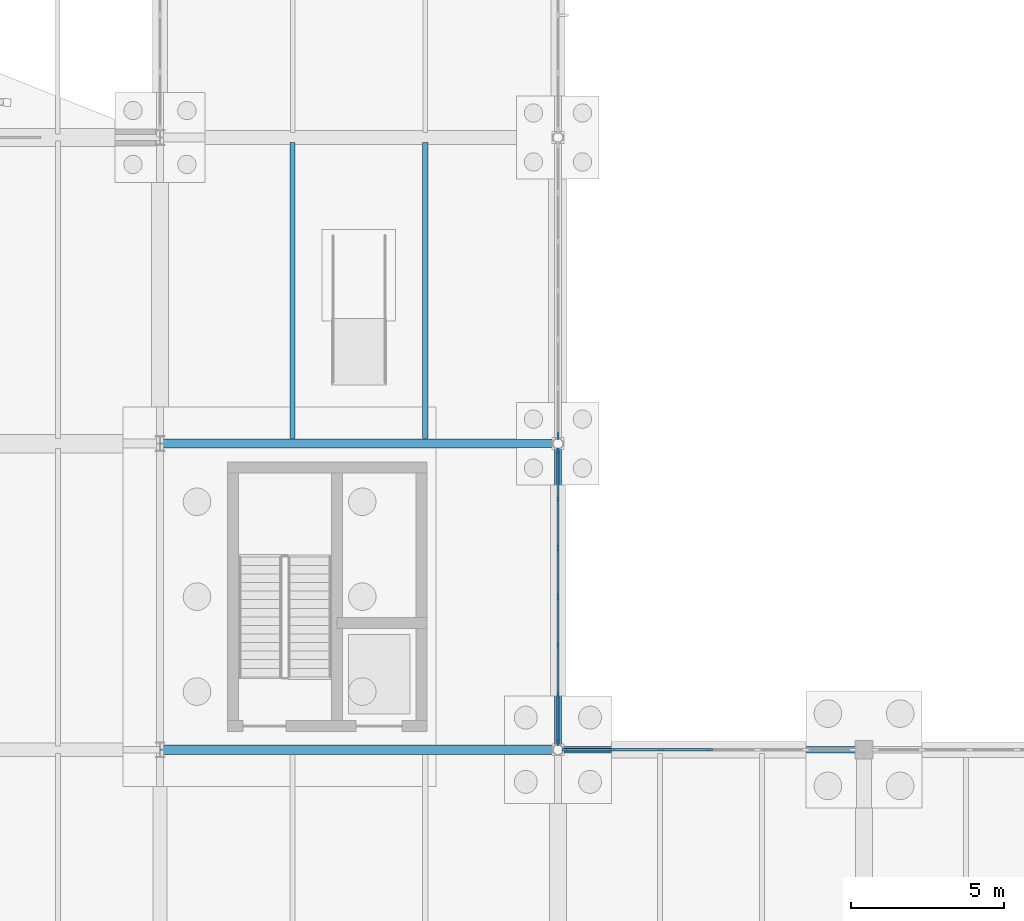
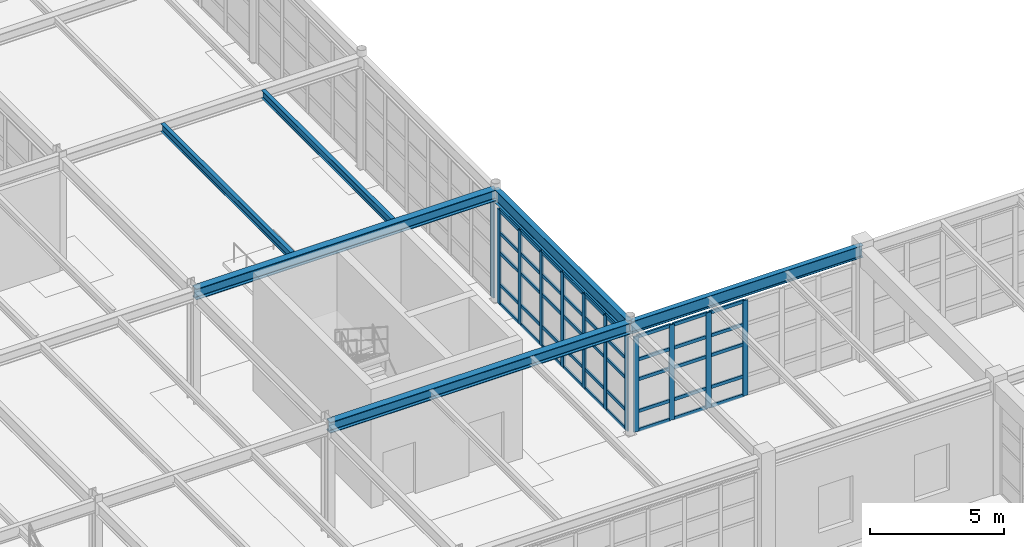
# One storey, part 74 of 145: 57 members, 6 beams, 3 elements without a shape of their own.
"""IFC4 building model written with IfcOpenShell, lengths in metres."""

from ifc_helpers import new_model, si_unit, direction, frame, origin, origin_2d, place, context, subcontext, project, spatial, rectangle, i_section, extrude, material, layer, layer_set, material_profile, profile_set, type_object, element, aggregate, save


model = new_model("IFC4")

# Units and contexts
model_context = context("Model", 3, precision=1e-05, world=origin(), true_north=direction((0.0, 1.0)))
body_context = subcontext(model_context, "Body", "Model", "MODEL_VIEW")
ifc_project = project(units=[si_unit("LENGTHUNIT", "METRE"), si_unit("AREAUNIT", "SQUARE_METRE"), si_unit("VOLUMEUNIT", "CUBIC_METRE"), si_unit("PLANEANGLEUNIT", "RADIAN"), si_unit("MASSUNIT", "GRAM", prefix="KILO"), si_unit("THERMODYNAMICTEMPERATUREUNIT", "KELVIN"), si_unit("POWERUNIT", "WATT")], contexts=[model_context])

# Site, building, storey
site_placement = place(None, origin())
site = spatial("IfcSite", under=ifc_project, at=site_placement, CompositionType="ELEMENT")
building_placement = place(site_placement, origin())
building = spatial("IfcBuilding", under=site, at=building_placement, Name="Korenveer Ferry Terminal", CompositionType="ELEMENT")
storey_placement = place(building_placement, origin())
storey = spatial("IfcBuildingStorey", under=building, at=storey_placement, Name="L00", CompositionType="ELEMENT", Elevation=0.0)

# Curtain wall, members
ifc_material_1 = material(Name="Unitised bronze-and-glass curtain wall", Category="glass")
ifc_layer_1 = layer(ifc_material_1, 0.219970703125)
ifc_layer_set_1 = layer_set([ifc_layer_1], Name="Unitised bronze-and-glass curtain wall")
curtain_wall_type_1 = type_object("IfcCurtainWallType", Name="ENV-CW-12", PredefinedType="USERDEFINED", material=ifc_layer_set_1)
curtain_wall_1_placement = place(storey_placement, frame((136.207763671875, 80.0, 0.0)))
curtain_wall_1 = element("IfcCurtainWall", 1, at=curtain_wall_1_placement, inside=storey, type_object=curtain_wall_type_1, Name="Lancet curtain wall CWX-L00-X136-146-Y80-80", ObjectType="UNITISED CURTAIN WALL", PredefinedType="USERDEFINED")
ifc_material_2 = material(Name="Anodised bronze aluminium", Category="aluminium")
ifc_material_profile_1 = material_profile(ifc_material_2, rectangle(XDim=0.074951171875, YDim=0.219970703125, at=origin_2d()), Name="ALU 75x220")
ifc_profile_set_1 = profile_set([ifc_material_profile_1], Name="Anodised bronze aluminium")
member_type_1 = type_object("IfcMemberType", Name="ENV-CWM-75X220", PredefinedType="MULLION", material=ifc_profile_set_1)
member_1_placement = place(storey_placement, frame((136.245361328125, 80.0, 0.0), z_axis=(0.0, 0.0, 1.0), x_axis=(0.0, 1.0, 0.0)))
member_1 = element("IfcMember", 2, at=member_1_placement, type_object=member_type_1, Name="CW-12 mullion 1", PredefinedType="MULLION", context=body_context, shape_type="SweptSolid", body=[
    extrude(rectangle(XDim=0.074951171875, YDim=0.219970703125, at=origin_2d()), origin(), (0.0, 0.0, 1.0), 4.340087890625),
])
member_2_placement = place(storey_placement, frame((137.784912109375, 80.0, 0.0), z_axis=(0.0, 0.0, 1.0), x_axis=(0.0, 1.0, 0.0)))
member_2 = element("IfcMember", 3, at=member_2_placement, type_object=member_type_1, Name="CW-12 mullion 2", PredefinedType="MULLION", context=body_context, shape_type="SweptSolid", body=[
    extrude(rectangle(XDim=0.074951171875, YDim=0.219970703125, at=origin_2d()), origin(), (0.0, 0.0, 1.0), 4.340087890625),
])
member_3_placement = place(storey_placement, frame((139.36181640625, 80.0, 0.0), z_axis=(0.0, 0.0, 1.0), x_axis=(0.0, 1.0, 0.0)))
member_3 = element("IfcMember", 4, at=member_3_placement, type_object=member_type_1, Name="CW-12 mullion 3", PredefinedType="MULLION", context=body_context, shape_type="SweptSolid", body=[
    extrude(rectangle(XDim=0.074951171875, YDim=0.219970703125, at=origin_2d()), origin(), (0.0, 0.0, 1.0), 4.340087890625),
])
member_4_placement = place(storey_placement, frame((140.93896484375, 80.0, 0.0), z_axis=(0.0, 0.0, 1.0), x_axis=(0.0, 1.0, 0.0)))
member_4 = element("IfcMember", 5, at=member_4_placement, type_object=member_type_1, Name="CW-12 mullion 4", PredefinedType="MULLION", context=body_context, shape_type="SweptSolid", body=[
    extrude(rectangle(XDim=0.074951171875, YDim=0.219970703125, at=origin_2d()), origin(), (0.0, 0.0, 1.0), 4.340087890625),
])

ifc_layer_2 = layer(ifc_material_1, 0.219970703125)
ifc_layer_set_2 = layer_set([ifc_layer_2], Name="Unitised bronze-and-glass curtain wall")
curtain_wall_type_2 = type_object("IfcCurtainWallType", Name="ENV-CW-22", PredefinedType="USERDEFINED", material=ifc_layer_set_2)
curtain_wall_2_placement = place(storey_placement, frame((136.0, 89.792236328125, 0.0)))
curtain_wall_2 = element("IfcCurtainWall", 6, at=curtain_wall_2_placement, inside=storey, type_object=curtain_wall_type_2, Name="Lancet curtain wall CWX-L00-X136-136-Y80-90", ObjectType="UNITISED CURTAIN WALL", PredefinedType="USERDEFINED")
member_5_placement = place(storey_placement, frame((136.0, 89.754638671875, 0.0), z_axis=(0.0, 0.0, 1.0), x_axis=(1.0, 0.0, 0.0)))
member_5 = element("IfcMember", 7, at=member_5_placement, type_object=member_type_1, Name="CW-22 mullion 1", PredefinedType="MULLION", context=body_context, shape_type="SweptSolid", body=[
    extrude(rectangle(XDim=0.074951171875, YDim=0.219970703125, at=origin_2d()), origin(), (0.0, 0.0, 1.0), 4.2900390625),
])
member_6_placement = place(storey_placement, frame((136.0, 88.19482421875, 0.0), z_axis=(0.0, 0.0, 1.0), x_axis=(1.0, 0.0, 0.0)))
member_6 = element("IfcMember", 8, at=member_6_placement, type_object=member_type_1, Name="CW-22 mullion 2", PredefinedType="MULLION", context=body_context, shape_type="SweptSolid", body=[
    extrude(rectangle(XDim=0.074951171875, YDim=0.219970703125, at=origin_2d()), origin(), (0.0, 0.0, 1.0), 4.2900390625),
])
member_7_placement = place(storey_placement, frame((136.0, 86.597412109375, 0.0), z_axis=(0.0, 0.0, 1.0), x_axis=(1.0, 0.0, 0.0)))
member_7 = element("IfcMember", 9, at=member_7_placement, type_object=member_type_1, Name="CW-22 mullion 3", PredefinedType="MULLION", context=body_context, shape_type="SweptSolid", body=[
    extrude(rectangle(XDim=0.074951171875, YDim=0.219970703125, at=origin_2d()), origin(), (0.0, 0.0, 1.0), 4.2900390625),
])
member_8_placement = place(storey_placement, frame((136.0, 85.0, 0.0), z_axis=(0.0, 0.0, 1.0), x_axis=(1.0, 0.0, 0.0)))
member_8 = element("IfcMember", 10, at=member_8_placement, type_object=member_type_1, Name="CW-22 mullion 4", PredefinedType="MULLION", context=body_context, shape_type="SweptSolid", body=[
    extrude(rectangle(XDim=0.074951171875, YDim=0.219970703125, at=origin_2d()), origin(), (0.0, 0.0, 1.0), 4.2900390625),
])
member_9_placement = place(storey_placement, frame((136.0, 83.402587890625, 0.0), z_axis=(0.0, 0.0, 1.0), x_axis=(1.0, 0.0, 0.0)))
member_9 = element("IfcMember", 11, at=member_9_placement, type_object=member_type_1, Name="CW-22 mullion 5", PredefinedType="MULLION", context=body_context, shape_type="SweptSolid", body=[
    extrude(rectangle(XDim=0.074951171875, YDim=0.219970703125, at=origin_2d()), origin(), (0.0, 0.0, 1.0), 4.2900390625),
])
member_10_placement = place(storey_placement, frame((136.0, 81.80517578125, 0.0), z_axis=(0.0, 0.0, 1.0), x_axis=(1.0, 0.0, 0.0)))
member_10 = element("IfcMember", 12, at=member_10_placement, type_object=member_type_1, Name="CW-22 mullion 6", PredefinedType="MULLION", context=body_context, shape_type="SweptSolid", body=[
    extrude(rectangle(XDim=0.074951171875, YDim=0.219970703125, at=origin_2d()), origin(), (0.0, 0.0, 1.0), 4.2900390625),
])
member_11_placement = place(storey_placement, frame((136.0, 80.245361328125, 0.0), z_axis=(0.0, 0.0, 1.0), x_axis=(1.0, 0.0, 0.0)))
member_11 = element("IfcMember", 13, at=member_11_placement, type_object=member_type_1, Name="CW-22 mullion 7", PredefinedType="MULLION", context=body_context, shape_type="SweptSolid", body=[
    extrude(rectangle(XDim=0.074951171875, YDim=0.219970703125, at=origin_2d()), origin(), (0.0, 0.0, 1.0), 4.2900390625),
])

# Curtain wall, member
ifc_layer_3 = layer(ifc_material_1, 0.219970703125)
ifc_layer_set_3 = layer_set([ifc_layer_3], Name="Unitised bronze-and-glass curtain wall")
curtain_wall_type_3 = type_object("IfcCurtainWallType", Name="ENV-CW-30", PredefinedType="USERDEFINED", material=ifc_layer_set_3)
curtain_wall_3_placement = place(storey_placement, frame((136.0, 99.792236328125, 0.0)))
curtain_wall_3 = element("IfcCurtainWall", 14, at=curtain_wall_3_placement, inside=storey, type_object=curtain_wall_type_3, Name="Lancet curtain wall CWX-L00-X136-136-Y90-100", ObjectType="UNITISED CURTAIN WALL", PredefinedType="USERDEFINED")
member_12_placement = place(storey_placement, frame((136.0, 90.245361328125, 0.0), z_axis=(0.0, 0.0, 1.0), x_axis=(1.0, 0.0, 0.0)))
member_12 = element("IfcMember", 15, at=member_12_placement, type_object=member_type_1, Name="CW-30 mullion 7", PredefinedType="MULLION", context=body_context, shape_type="SweptSolid", body=[
    extrude(rectangle(XDim=0.074951171875, YDim=0.219970703125, at=origin_2d()), origin(), (0.0, 0.0, 1.0), 4.489990234375),
])
aggregate(curtain_wall_3, [member_12])

# Member
ifc_material_profile_2 = material_profile(ifc_material_2, rectangle(XDim=0.074951171875, YDim=0.14990234375, at=origin_2d()), Name="ALU 75x150")
ifc_profile_set_2 = profile_set([ifc_material_profile_2], Name="Anodised bronze aluminium")
member_type_2 = type_object("IfcMemberType", Name="ENV-CWT-75X150", PredefinedType="USERDEFINED", material=ifc_profile_set_2)
member_13_placement = place(storey_placement, frame((136.28271484375, 80.0, 0.03759765625), z_axis=(1.0, 0.0, 0.0), x_axis=(0.0, 1.0, 0.0)))
member_13 = element("IfcMember", 16, at=member_13_placement, type_object=member_type_2, Name="CW-12 transom 1.1", ObjectType="TRANSOM", PredefinedType="USERDEFINED", context=body_context, shape_type="SweptSolid", body=[
    extrude(rectangle(XDim=0.074951171875, YDim=0.14990234375, at=origin_2d()), origin(), (0.0, 0.0, 1.0), 1.464599609375),
])

member_14_placement = place(storey_placement, frame((136.28271484375, 80.0, 0.89990234375), z_axis=(1.0, 0.0, 0.0), x_axis=(0.0, 1.0, 0.0)))
member_14 = element("IfcMember", 17, at=member_14_placement, type_object=member_type_2, Name="CW-12 transom 1.2", ObjectType="TRANSOM", PredefinedType="USERDEFINED", context=body_context, shape_type="SweptSolid", body=[
    extrude(rectangle(XDim=0.074951171875, YDim=0.14990234375, at=origin_2d()), origin(), (0.0, 0.0, 1.0), 1.464599609375),
])

member_15_placement = place(storey_placement, frame((136.28271484375, 80.0, 2.35009765625), z_axis=(1.0, 0.0, 0.0), x_axis=(0.0, 1.0, 0.0)))
member_15 = element("IfcMember", 18, at=member_15_placement, type_object=member_type_2, Name="CW-12 transom 1.3", ObjectType="TRANSOM", PredefinedType="USERDEFINED", context=body_context, shape_type="SweptSolid", body=[
    extrude(rectangle(XDim=0.074951171875, YDim=0.14990234375, at=origin_2d()), origin(), (0.0, 0.0, 1.0), 1.464599609375),
])

member_16_placement = place(storey_placement, frame((136.28271484375, 80.0, 3.25), z_axis=(1.0, 0.0, 0.0), x_axis=(0.0, 1.0, 0.0)))
member_16 = element("IfcMember", 19, at=member_16_placement, type_object=member_type_2, Name="CW-12 transom 1.4", ObjectType="TRANSOM", PredefinedType="USERDEFINED", context=body_context, shape_type="SweptSolid", body=[
    extrude(rectangle(XDim=0.074951171875, YDim=0.14990234375, at=origin_2d()), origin(), (0.0, 0.0, 1.0), 1.464599609375),
])

member_17_placement = place(storey_placement, frame((136.28271484375, 80.0, 4.302490234375), z_axis=(1.0, 0.0, 0.0), x_axis=(0.0, 1.0, 0.0)))
member_17 = element("IfcMember", 20, at=member_17_placement, type_object=member_type_2, Name="CW-12 transom 1.5", ObjectType="TRANSOM", PredefinedType="USERDEFINED", context=body_context, shape_type="SweptSolid", body=[
    extrude(rectangle(XDim=0.074951171875, YDim=0.14990234375, at=origin_2d()), origin(), (0.0, 0.0, 1.0), 1.464599609375),
])

member_18_placement = place(storey_placement, frame((137.822265625, 80.0, 0.03759765625), z_axis=(1.0, 0.0, 0.0), x_axis=(0.0, 1.0, 0.0)))
member_18 = element("IfcMember", 21, at=member_18_placement, type_object=member_type_2, Name="CW-12 transom 2.1", ObjectType="TRANSOM", PredefinedType="USERDEFINED", context=body_context, shape_type="SweptSolid", body=[
    extrude(rectangle(XDim=0.074951171875, YDim=0.14990234375, at=origin_2d()), origin(), (0.0, 0.0, 1.0), 1.502197265625),
])

member_19_placement = place(storey_placement, frame((137.822265625, 80.0, 0.89990234375), z_axis=(1.0, 0.0, 0.0), x_axis=(0.0, 1.0, 0.0)))
member_19 = element("IfcMember", 22, at=member_19_placement, type_object=member_type_2, Name="CW-12 transom 2.2", ObjectType="TRANSOM", PredefinedType="USERDEFINED", context=body_context, shape_type="SweptSolid", body=[
    extrude(rectangle(XDim=0.074951171875, YDim=0.14990234375, at=origin_2d()), origin(), (0.0, 0.0, 1.0), 1.502197265625),
])

member_20_placement = place(storey_placement, frame((137.822265625, 80.0, 2.35009765625), z_axis=(1.0, 0.0, 0.0), x_axis=(0.0, 1.0, 0.0)))
member_20 = element("IfcMember", 23, at=member_20_placement, type_object=member_type_2, Name="CW-12 transom 2.3", ObjectType="TRANSOM", PredefinedType="USERDEFINED", context=body_context, shape_type="SweptSolid", body=[
    extrude(rectangle(XDim=0.074951171875, YDim=0.14990234375, at=origin_2d()), origin(), (0.0, 0.0, 1.0), 1.502197265625),
])

member_21_placement = place(storey_placement, frame((137.822265625, 80.0, 3.25), z_axis=(1.0, 0.0, 0.0), x_axis=(0.0, 1.0, 0.0)))
member_21 = element("IfcMember", 24, at=member_21_placement, type_object=member_type_2, Name="CW-12 transom 2.4", ObjectType="TRANSOM", PredefinedType="USERDEFINED", context=body_context, shape_type="SweptSolid", body=[
    extrude(rectangle(XDim=0.074951171875, YDim=0.14990234375, at=origin_2d()), origin(), (0.0, 0.0, 1.0), 1.502197265625),
])

member_22_placement = place(storey_placement, frame((137.822265625, 80.0, 4.302490234375), z_axis=(1.0, 0.0, 0.0), x_axis=(0.0, 1.0, 0.0)))
member_22 = element("IfcMember", 25, at=member_22_placement, type_object=member_type_2, Name="CW-12 transom 2.5", ObjectType="TRANSOM", PredefinedType="USERDEFINED", context=body_context, shape_type="SweptSolid", body=[
    extrude(rectangle(XDim=0.074951171875, YDim=0.14990234375, at=origin_2d()), origin(), (0.0, 0.0, 1.0), 1.502197265625),
])

member_23_placement = place(storey_placement, frame((139.3994140625, 80.0, 0.03759765625), z_axis=(1.0, 0.0, 0.0), x_axis=(0.0, 1.0, 0.0)))
member_23 = element("IfcMember", 26, at=member_23_placement, type_object=member_type_2, Name="CW-12 transom 3.1", ObjectType="TRANSOM", PredefinedType="USERDEFINED", context=body_context, shape_type="SweptSolid", body=[
    extrude(rectangle(XDim=0.074951171875, YDim=0.14990234375, at=origin_2d()), origin(), (0.0, 0.0, 1.0), 1.501953125),
])

member_24_placement = place(storey_placement, frame((139.3994140625, 80.0, 0.89990234375), z_axis=(1.0, 0.0, 0.0), x_axis=(0.0, 1.0, 0.0)))
member_24 = element("IfcMember", 27, at=member_24_placement, type_object=member_type_2, Name="CW-12 transom 3.2", ObjectType="TRANSOM", PredefinedType="USERDEFINED", context=body_context, shape_type="SweptSolid", body=[
    extrude(rectangle(XDim=0.074951171875, YDim=0.14990234375, at=origin_2d()), origin(), (0.0, 0.0, 1.0), 1.501953125),
])

member_25_placement = place(storey_placement, frame((139.3994140625, 80.0, 2.35009765625), z_axis=(1.0, 0.0, 0.0), x_axis=(0.0, 1.0, 0.0)))
member_25 = element("IfcMember", 28, at=member_25_placement, type_object=member_type_2, Name="CW-12 transom 3.3", ObjectType="TRANSOM", PredefinedType="USERDEFINED", context=body_context, shape_type="SweptSolid", body=[
    extrude(rectangle(XDim=0.074951171875, YDim=0.14990234375, at=origin_2d()), origin(), (0.0, 0.0, 1.0), 1.501953125),
])

member_26_placement = place(storey_placement, frame((139.3994140625, 80.0, 3.25), z_axis=(1.0, 0.0, 0.0), x_axis=(0.0, 1.0, 0.0)))
member_26 = element("IfcMember", 29, at=member_26_placement, type_object=member_type_2, Name="CW-12 transom 3.4", ObjectType="TRANSOM", PredefinedType="USERDEFINED", context=body_context, shape_type="SweptSolid", body=[
    extrude(rectangle(XDim=0.074951171875, YDim=0.14990234375, at=origin_2d()), origin(), (0.0, 0.0, 1.0), 1.501953125),
])

member_27_placement = place(storey_placement, frame((139.3994140625, 80.0, 4.302490234375), z_axis=(1.0, 0.0, 0.0), x_axis=(0.0, 1.0, 0.0)))
member_27 = element("IfcMember", 30, at=member_27_placement, type_object=member_type_2, Name="CW-12 transom 3.5", ObjectType="TRANSOM", PredefinedType="USERDEFINED", context=body_context, shape_type="SweptSolid", body=[
    extrude(rectangle(XDim=0.074951171875, YDim=0.14990234375, at=origin_2d()), origin(), (0.0, 0.0, 1.0), 1.501953125),
])

aggregate(curtain_wall_1, [member_1, member_2, member_3, member_4, member_13, member_14, member_15, member_16, member_17, member_18, member_19, member_20, member_21, member_22, member_23, member_24, member_25, member_26, member_27])

member_28_placement = place(storey_placement, frame((136.0, 89.71728515625, 0.03759765625), z_axis=(0.0, -1.0, 0.0), x_axis=(1.0, 0.0, 0.0)))
member_28 = element("IfcMember", 31, at=member_28_placement, type_object=member_type_2, Name="CW-22 transom 1.1", ObjectType="TRANSOM", PredefinedType="USERDEFINED", context=body_context, shape_type="SweptSolid", body=[
    extrude(rectangle(XDim=0.074951171875, YDim=0.14990234375, at=origin_2d()), origin(), (0.0, 0.0, 1.0), 1.48486328125),
])

member_29_placement = place(storey_placement, frame((136.0, 89.71728515625, 0.89990234375), z_axis=(0.0, -1.0, 0.0), x_axis=(1.0, 0.0, 0.0)))
member_29 = element("IfcMember", 32, at=member_29_placement, type_object=member_type_2, Name="CW-22 transom 1.2", ObjectType="TRANSOM", PredefinedType="USERDEFINED", context=body_context, shape_type="SweptSolid", body=[
    extrude(rectangle(XDim=0.074951171875, YDim=0.14990234375, at=origin_2d()), origin(), (0.0, 0.0, 1.0), 1.48486328125),
])

member_30_placement = place(storey_placement, frame((136.0, 89.71728515625, 2.35009765625), z_axis=(0.0, -1.0, 0.0), x_axis=(1.0, 0.0, 0.0)))
member_30 = element("IfcMember", 33, at=member_30_placement, type_object=member_type_2, Name="CW-22 transom 1.3", ObjectType="TRANSOM", PredefinedType="USERDEFINED", context=body_context, shape_type="SweptSolid", body=[
    extrude(rectangle(XDim=0.074951171875, YDim=0.14990234375, at=origin_2d()), origin(), (0.0, 0.0, 1.0), 1.48486328125),
])

member_31_placement = place(storey_placement, frame((136.0, 89.71728515625, 3.25), z_axis=(0.0, -1.0, 0.0), x_axis=(1.0, 0.0, 0.0)))
member_31 = element("IfcMember", 34, at=member_31_placement, type_object=member_type_2, Name="CW-22 transom 1.4", ObjectType="TRANSOM", PredefinedType="USERDEFINED", context=body_context, shape_type="SweptSolid", body=[
    extrude(rectangle(XDim=0.074951171875, YDim=0.14990234375, at=origin_2d()), origin(), (0.0, 0.0, 1.0), 1.48486328125),
])

member_32_placement = place(storey_placement, frame((136.0, 89.71728515625, 4.25244140625), z_axis=(0.0, -1.0, 0.0), x_axis=(1.0, 0.0, 0.0)))
member_32 = element("IfcMember", 35, at=member_32_placement, type_object=member_type_2, Name="CW-22 transom 1.5", ObjectType="TRANSOM", PredefinedType="USERDEFINED", context=body_context, shape_type="SweptSolid", body=[
    extrude(rectangle(XDim=0.074951171875, YDim=0.14990234375, at=origin_2d()), origin(), (0.0, 0.0, 1.0), 1.48486328125),
])

member_33_placement = place(storey_placement, frame((136.0, 88.1572265625, 0.03759765625), z_axis=(0.0, -1.0, 0.0), x_axis=(1.0, 0.0, 0.0)))
member_33 = element("IfcMember", 36, at=member_33_placement, type_object=member_type_2, Name="CW-22 transom 2.1", ObjectType="TRANSOM", PredefinedType="USERDEFINED", context=body_context, shape_type="SweptSolid", body=[
    extrude(rectangle(XDim=0.074951171875, YDim=0.14990234375, at=origin_2d()), origin(), (0.0, 0.0, 1.0), 1.522216796875),
])

member_34_placement = place(storey_placement, frame((136.0, 88.1572265625, 0.89990234375), z_axis=(0.0, -1.0, 0.0), x_axis=(1.0, 0.0, 0.0)))
member_34 = element("IfcMember", 37, at=member_34_placement, type_object=member_type_2, Name="CW-22 transom 2.2", ObjectType="TRANSOM", PredefinedType="USERDEFINED", context=body_context, shape_type="SweptSolid", body=[
    extrude(rectangle(XDim=0.074951171875, YDim=0.14990234375, at=origin_2d()), origin(), (0.0, 0.0, 1.0), 1.522216796875),
])

member_35_placement = place(storey_placement, frame((136.0, 88.1572265625, 2.35009765625), z_axis=(0.0, -1.0, 0.0), x_axis=(1.0, 0.0, 0.0)))
member_35 = element("IfcMember", 38, at=member_35_placement, type_object=member_type_2, Name="CW-22 transom 2.3", ObjectType="TRANSOM", PredefinedType="USERDEFINED", context=body_context, shape_type="SweptSolid", body=[
    extrude(rectangle(XDim=0.074951171875, YDim=0.14990234375, at=origin_2d()), origin(), (0.0, 0.0, 1.0), 1.522216796875),
])

member_36_placement = place(storey_placement, frame((136.0, 88.1572265625, 3.25), z_axis=(0.0, -1.0, 0.0), x_axis=(1.0, 0.0, 0.0)))
member_36 = element("IfcMember", 39, at=member_36_placement, type_object=member_type_2, Name="CW-22 transom 2.4", ObjectType="TRANSOM", PredefinedType="USERDEFINED", context=body_context, shape_type="SweptSolid", body=[
    extrude(rectangle(XDim=0.074951171875, YDim=0.14990234375, at=origin_2d()), origin(), (0.0, 0.0, 1.0), 1.522216796875),
])

member_37_placement = place(storey_placement, frame((136.0, 88.1572265625, 4.25244140625), z_axis=(0.0, -1.0, 0.0), x_axis=(1.0, 0.0, 0.0)))
member_37 = element("IfcMember", 40, at=member_37_placement, type_object=member_type_2, Name="CW-22 transom 2.5", ObjectType="TRANSOM", PredefinedType="USERDEFINED", context=body_context, shape_type="SweptSolid", body=[
    extrude(rectangle(XDim=0.074951171875, YDim=0.14990234375, at=origin_2d()), origin(), (0.0, 0.0, 1.0), 1.522216796875),
])

member_38_placement = place(storey_placement, frame((136.0, 86.559814453125, 0.03759765625), z_axis=(0.0, -1.0, 0.0), x_axis=(1.0, 0.0, 0.0)))
member_38 = element("IfcMember", 41, at=member_38_placement, type_object=member_type_2, Name="CW-22 transom 3.1", ObjectType="TRANSOM", PredefinedType="USERDEFINED", context=body_context, shape_type="SweptSolid", body=[
    extrude(rectangle(XDim=0.074951171875, YDim=0.14990234375, at=origin_2d()), origin(), (0.0, 0.0, 1.0), 1.522216796875),
])

member_39_placement = place(storey_placement, frame((136.0, 86.559814453125, 0.89990234375), z_axis=(0.0, -1.0, 0.0), x_axis=(1.0, 0.0, 0.0)))
member_39 = element("IfcMember", 42, at=member_39_placement, type_object=member_type_2, Name="CW-22 transom 3.2", ObjectType="TRANSOM", PredefinedType="USERDEFINED", context=body_context, shape_type="SweptSolid", body=[
    extrude(rectangle(XDim=0.074951171875, YDim=0.14990234375, at=origin_2d()), origin(), (0.0, 0.0, 1.0), 1.522216796875),
])

member_40_placement = place(storey_placement, frame((136.0, 86.559814453125, 2.35009765625), z_axis=(0.0, -1.0, 0.0), x_axis=(1.0, 0.0, 0.0)))
member_40 = element("IfcMember", 43, at=member_40_placement, type_object=member_type_2, Name="CW-22 transom 3.3", ObjectType="TRANSOM", PredefinedType="USERDEFINED", context=body_context, shape_type="SweptSolid", body=[
    extrude(rectangle(XDim=0.074951171875, YDim=0.14990234375, at=origin_2d()), origin(), (0.0, 0.0, 1.0), 1.522216796875),
])

member_41_placement = place(storey_placement, frame((136.0, 86.559814453125, 3.25), z_axis=(0.0, -1.0, 0.0), x_axis=(1.0, 0.0, 0.0)))
member_41 = element("IfcMember", 44, at=member_41_placement, type_object=member_type_2, Name="CW-22 transom 3.4", ObjectType="TRANSOM", PredefinedType="USERDEFINED", context=body_context, shape_type="SweptSolid", body=[
    extrude(rectangle(XDim=0.074951171875, YDim=0.14990234375, at=origin_2d()), origin(), (0.0, 0.0, 1.0), 1.522216796875),
])

member_42_placement = place(storey_placement, frame((136.0, 86.559814453125, 4.25244140625), z_axis=(0.0, -1.0, 0.0), x_axis=(1.0, 0.0, 0.0)))
member_42 = element("IfcMember", 45, at=member_42_placement, type_object=member_type_2, Name="CW-22 transom 3.5", ObjectType="TRANSOM", PredefinedType="USERDEFINED", context=body_context, shape_type="SweptSolid", body=[
    extrude(rectangle(XDim=0.074951171875, YDim=0.14990234375, at=origin_2d()), origin(), (0.0, 0.0, 1.0), 1.522216796875),
])

member_43_placement = place(storey_placement, frame((136.0, 84.96240234375, 0.03759765625), z_axis=(0.0, -1.0, 0.0), x_axis=(1.0, 0.0, 0.0)))
member_43 = element("IfcMember", 46, at=member_43_placement, type_object=member_type_2, Name="CW-22 transom 4.1", ObjectType="TRANSOM", PredefinedType="USERDEFINED", context=body_context, shape_type="SweptSolid", body=[
    extrude(rectangle(XDim=0.074951171875, YDim=0.14990234375, at=origin_2d()), origin(), (0.0, 0.0, 1.0), 1.522216796875),
])

member_44_placement = place(storey_placement, frame((136.0, 84.96240234375, 0.89990234375), z_axis=(0.0, -1.0, 0.0), x_axis=(1.0, 0.0, 0.0)))
member_44 = element("IfcMember", 47, at=member_44_placement, type_object=member_type_2, Name="CW-22 transom 4.2", ObjectType="TRANSOM", PredefinedType="USERDEFINED", context=body_context, shape_type="SweptSolid", body=[
    extrude(rectangle(XDim=0.074951171875, YDim=0.14990234375, at=origin_2d()), origin(), (0.0, 0.0, 1.0), 1.522216796875),
])

member_45_placement = place(storey_placement, frame((136.0, 84.96240234375, 2.35009765625), z_axis=(0.0, -1.0, 0.0), x_axis=(1.0, 0.0, 0.0)))
member_45 = element("IfcMember", 48, at=member_45_placement, type_object=member_type_2, Name="CW-22 transom 4.3", ObjectType="TRANSOM", PredefinedType="USERDEFINED", context=body_context, shape_type="SweptSolid", body=[
    extrude(rectangle(XDim=0.074951171875, YDim=0.14990234375, at=origin_2d()), origin(), (0.0, 0.0, 1.0), 1.522216796875),
])

member_46_placement = place(storey_placement, frame((136.0, 84.96240234375, 3.25), z_axis=(0.0, -1.0, 0.0), x_axis=(1.0, 0.0, 0.0)))
member_46 = element("IfcMember", 49, at=member_46_placement, type_object=member_type_2, Name="CW-22 transom 4.4", ObjectType="TRANSOM", PredefinedType="USERDEFINED", context=body_context, shape_type="SweptSolid", body=[
    extrude(rectangle(XDim=0.074951171875, YDim=0.14990234375, at=origin_2d()), origin(), (0.0, 0.0, 1.0), 1.522216796875),
])

member_47_placement = place(storey_placement, frame((136.0, 84.96240234375, 4.25244140625), z_axis=(0.0, -1.0, 0.0), x_axis=(1.0, 0.0, 0.0)))
member_47 = element("IfcMember", 50, at=member_47_placement, type_object=member_type_2, Name="CW-22 transom 4.5", ObjectType="TRANSOM", PredefinedType="USERDEFINED", context=body_context, shape_type="SweptSolid", body=[
    extrude(rectangle(XDim=0.074951171875, YDim=0.14990234375, at=origin_2d()), origin(), (0.0, 0.0, 1.0), 1.522216796875),
])

member_48_placement = place(storey_placement, frame((136.0, 83.364990234375, 0.03759765625), z_axis=(0.0, -1.0, 0.0), x_axis=(1.0, 0.0, 0.0)))
member_48 = element("IfcMember", 51, at=member_48_placement, type_object=member_type_2, Name="CW-22 transom 5.1", ObjectType="TRANSOM", PredefinedType="USERDEFINED", context=body_context, shape_type="SweptSolid", body=[
    extrude(rectangle(XDim=0.074951171875, YDim=0.14990234375, at=origin_2d()), origin(), (0.0, 0.0, 1.0), 1.522216796875),
])

member_49_placement = place(storey_placement, frame((136.0, 83.364990234375, 0.89990234375), z_axis=(0.0, -1.0, 0.0), x_axis=(1.0, 0.0, 0.0)))
member_49 = element("IfcMember", 52, at=member_49_placement, type_object=member_type_2, Name="CW-22 transom 5.2", ObjectType="TRANSOM", PredefinedType="USERDEFINED", context=body_context, shape_type="SweptSolid", body=[
    extrude(rectangle(XDim=0.074951171875, YDim=0.14990234375, at=origin_2d()), origin(), (0.0, 0.0, 1.0), 1.522216796875),
])

member_50_placement = place(storey_placement, frame((136.0, 83.364990234375, 2.35009765625), z_axis=(0.0, -1.0, 0.0), x_axis=(1.0, 0.0, 0.0)))
member_50 = element("IfcMember", 53, at=member_50_placement, type_object=member_type_2, Name="CW-22 transom 5.3", ObjectType="TRANSOM", PredefinedType="USERDEFINED", context=body_context, shape_type="SweptSolid", body=[
    extrude(rectangle(XDim=0.074951171875, YDim=0.14990234375, at=origin_2d()), origin(), (0.0, 0.0, 1.0), 1.522216796875),
])

member_51_placement = place(storey_placement, frame((136.0, 83.364990234375, 3.25), z_axis=(0.0, -1.0, 0.0), x_axis=(1.0, 0.0, 0.0)))
member_51 = element("IfcMember", 54, at=member_51_placement, type_object=member_type_2, Name="CW-22 transom 5.4", ObjectType="TRANSOM", PredefinedType="USERDEFINED", context=body_context, shape_type="SweptSolid", body=[
    extrude(rectangle(XDim=0.074951171875, YDim=0.14990234375, at=origin_2d()), origin(), (0.0, 0.0, 1.0), 1.522216796875),
])

member_52_placement = place(storey_placement, frame((136.0, 83.364990234375, 4.25244140625), z_axis=(0.0, -1.0, 0.0), x_axis=(1.0, 0.0, 0.0)))
member_52 = element("IfcMember", 55, at=member_52_placement, type_object=member_type_2, Name="CW-22 transom 5.5", ObjectType="TRANSOM", PredefinedType="USERDEFINED", context=body_context, shape_type="SweptSolid", body=[
    extrude(rectangle(XDim=0.074951171875, YDim=0.14990234375, at=origin_2d()), origin(), (0.0, 0.0, 1.0), 1.522216796875),
])

member_53_placement = place(storey_placement, frame((136.0, 81.767578125, 0.03759765625), z_axis=(0.0, -1.0, 0.0), x_axis=(1.0, 0.0, 0.0)))
member_53 = element("IfcMember", 56, at=member_53_placement, type_object=member_type_2, Name="CW-22 transom 6.1", ObjectType="TRANSOM", PredefinedType="USERDEFINED", context=body_context, shape_type="SweptSolid", body=[
    extrude(rectangle(XDim=0.074951171875, YDim=0.14990234375, at=origin_2d()), origin(), (0.0, 0.0, 1.0), 1.48486328125),
])

member_54_placement = place(storey_placement, frame((136.0, 81.767578125, 0.89990234375), z_axis=(0.0, -1.0, 0.0), x_axis=(1.0, 0.0, 0.0)))
member_54 = element("IfcMember", 57, at=member_54_placement, type_object=member_type_2, Name="CW-22 transom 6.2", ObjectType="TRANSOM", PredefinedType="USERDEFINED", context=body_context, shape_type="SweptSolid", body=[
    extrude(rectangle(XDim=0.074951171875, YDim=0.14990234375, at=origin_2d()), origin(), (0.0, 0.0, 1.0), 1.48486328125),
])

member_55_placement = place(storey_placement, frame((136.0, 81.767578125, 2.35009765625), z_axis=(0.0, -1.0, 0.0), x_axis=(1.0, 0.0, 0.0)))
member_55 = element("IfcMember", 58, at=member_55_placement, type_object=member_type_2, Name="CW-22 transom 6.3", ObjectType="TRANSOM", PredefinedType="USERDEFINED", context=body_context, shape_type="SweptSolid", body=[
    extrude(rectangle(XDim=0.074951171875, YDim=0.14990234375, at=origin_2d()), origin(), (0.0, 0.0, 1.0), 1.48486328125),
])

member_56_placement = place(storey_placement, frame((136.0, 81.767578125, 3.25), z_axis=(0.0, -1.0, 0.0), x_axis=(1.0, 0.0, 0.0)))
member_56 = element("IfcMember", 59, at=member_56_placement, type_object=member_type_2, Name="CW-22 transom 6.4", ObjectType="TRANSOM", PredefinedType="USERDEFINED", context=body_context, shape_type="SweptSolid", body=[
    extrude(rectangle(XDim=0.074951171875, YDim=0.14990234375, at=origin_2d()), origin(), (0.0, 0.0, 1.0), 1.48486328125),
])

member_57_placement = place(storey_placement, frame((136.0, 81.767578125, 4.25244140625), z_axis=(0.0, -1.0, 0.0), x_axis=(1.0, 0.0, 0.0)))
member_57 = element("IfcMember", 60, at=member_57_placement, type_object=member_type_2, Name="CW-22 transom 6.5", ObjectType="TRANSOM", PredefinedType="USERDEFINED", context=body_context, shape_type="SweptSolid", body=[
    extrude(rectangle(XDim=0.074951171875, YDim=0.14990234375, at=origin_2d()), origin(), (0.0, 0.0, 1.0), 1.48486328125),
])

aggregate(curtain_wall_2, [member_5, member_6, member_7, member_8, member_9, member_10, member_11, member_28, member_29, member_30, member_31, member_32, member_33, member_34, member_35, member_36, member_37, member_38, member_39, member_40, member_41, member_42, member_43, member_44, member_45, member_46, member_47, member_48, member_49, member_50, member_51, member_52, member_53, member_54, member_55, member_56, member_57])

# Beams
ifc_material_3 = material(Name="Steel S355", Category="steel")
ifc_material_profile_3 = material_profile(ifc_material_3, i_section(OverallWidth=0.300048828125, OverallDepth=0.5, WebThickness=0.014404296875, FlangeThickness=0.028076171875, FilletRadius=0.027099609375, at=origin_2d()), Name="HEB 500")
ifc_profile_set_3 = profile_set([ifc_material_profile_3], Name="Steel S355")
beam_type_1 = type_object("IfcBeamType", Name="STR-BM-HEB500", PredefinedType="BEAM", material=ifc_profile_set_3)
for number, where, z_axis, x_axis, name in (
    (61, (123.02001953125, 80.0, 4.8701171875), (1.0, 0.0, 0.0), (0.0, 1.0, 0.0), "Primary X girder BMX-L01-X123-136-Y80"),
    (62, (123.02001953125, 90.0, 4.8701171875), (1.0, 0.0, 0.0), (0.0, 1.0, 0.0), "Primary X girder BMX-L01-X123-136-Y90"),
):
    element("IfcBeam", number, at=place(storey_placement, frame(where, z_axis=z_axis, x_axis=x_axis)), inside=storey, type_object=beam_type_1, Name=name, PredefinedType="BEAM", context=body_context, shape_type="SweptSolid", body=[
        extrude(i_section(OverallWidth=0.300048828125, OverallDepth=0.5, WebThickness=0.014404296875, FlangeThickness=0.028076171875, FilletRadius=0.027099609375, at=origin_2d()), origin(), (0.0, 0.0, 1.0), 12.9599609375),
    ])
ifc_material_profile_4 = material_profile(ifc_material_3, i_section(OverallWidth=0.2099609375, OverallDepth=0.550048828125, WebThickness=0.010986328125, FlangeThickness=0.01708984375, FilletRadius=0.02392578125, at=origin_2d()), Name="IPE 550")
ifc_profile_set_4 = profile_set([ifc_material_profile_4], Name="Steel S355")
beam_type_2 = type_object("IfcBeamType", Name="STR-BM-IPE550", PredefinedType="BEAM", material=ifc_profile_set_4)
beam_1_placement = place(storey_placement, frame((136.02001953125, 80.0, 4.844970703125), z_axis=(1.0, 0.0, 0.0), x_axis=(0.0, 1.0, 0.0)))
element("IfcBeam", 63, at=beam_1_placement, inside=storey, type_object=beam_type_2, Name="Primary X girder BMX-L01-X136-146-Y80", PredefinedType="BEAM", context=body_context, shape_type="SweptSolid", body=[
    extrude(i_section(OverallWidth=0.2099609375, OverallDepth=0.550048828125, WebThickness=0.010986328125, FlangeThickness=0.01708984375, FilletRadius=0.02392578125, at=origin_2d()), origin(), (0.0, 0.0, 1.0), 9.9599609375),
])
ifc_material_profile_5 = material_profile(ifc_material_3, i_section(OverallWidth=0.219970703125, OverallDepth=0.60009765625, WebThickness=0.011962890625, FlangeThickness=0.01904296875, FilletRadius=0.02392578125, at=origin_2d()), Name="IPE 600")
ifc_profile_set_5 = profile_set([ifc_material_profile_5], Name="Steel S355")
beam_type_3 = type_object("IfcBeamType", Name="STR-BM-IPE600", PredefinedType="BEAM", material=ifc_profile_set_5)
beam_2_placement = place(storey_placement, frame((136.0, 80.02001953125, 4.820068359375), z_axis=(0.0, 1.0, 0.0), x_axis=(-1.0, 0.0, 0.0)))
element("IfcBeam", 64, at=beam_2_placement, inside=storey, type_object=beam_type_3, Name="Primary Y girder BMY-L01-X136-Y80-90", PredefinedType="BEAM", context=body_context, shape_type="SweptSolid", body=[
    extrude(i_section(OverallWidth=0.219970703125, OverallDepth=0.60009765625, WebThickness=0.011962890625, FlangeThickness=0.01904296875, FilletRadius=0.02392578125, at=origin_2d()), origin(), (0.0, 0.0, 1.0), 9.9599609375),
])
ifc_material_profile_6 = material_profile(ifc_material_3, i_section(OverallWidth=0.169921875, OverallDepth=0.360107421875, WebThickness=0.008056640625, FlangeThickness=0.0126953125, FilletRadius=0.01806640625, at=origin_2d()), Name="IPE 360")
ifc_profile_set_6 = profile_set([ifc_material_profile_6], Name="Steel S355")
beam_type_4 = type_object("IfcBeamType", Name="STR-JST-IPE360", PredefinedType="JOIST", material=ifc_profile_set_6)
for number, where, z_axis, x_axis, name in (
    (65, (127.333251953125, 90.159912109375, 4.93994140625), (0.0, 1.0, 0.0), (-1.0, 0.0, 0.0), "Secondary composite joist JST-L01-X1273-Y90-100"),
    (66, (131.666748046875, 90.159912109375, 4.93994140625), (0.0, 1.0, 0.0), (-1.0, 0.0, 0.0), "Secondary composite joist JST-L01-X1317-Y90-100"),
):
    element("IfcBeam", number, at=place(storey_placement, frame(where, z_axis=z_axis, x_axis=x_axis)), inside=storey, type_object=beam_type_4, Name=name, PredefinedType="JOIST", context=body_context, shape_type="SweptSolid", body=[
        extrude(i_section(OverallWidth=0.169921875, OverallDepth=0.360107421875, WebThickness=0.008056640625, FlangeThickness=0.0126953125, FilletRadius=0.01806640625, at=origin_2d()), origin(), (0.0, 0.0, 1.0), 9.68017578125),
    ])

save(model, "model.ifc")
